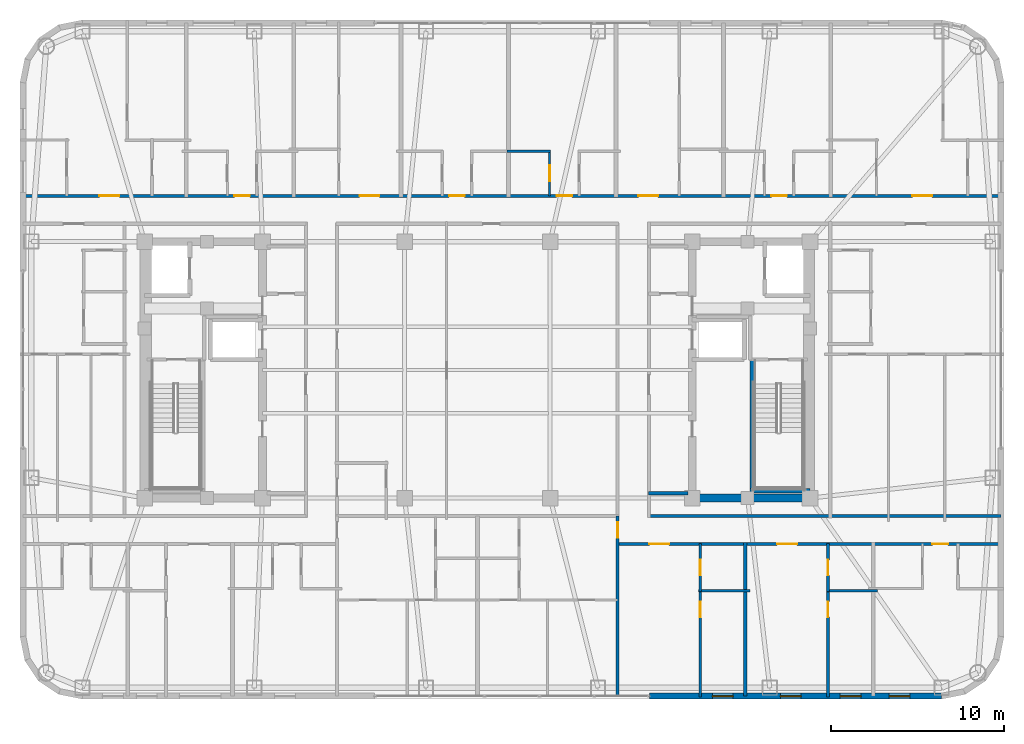
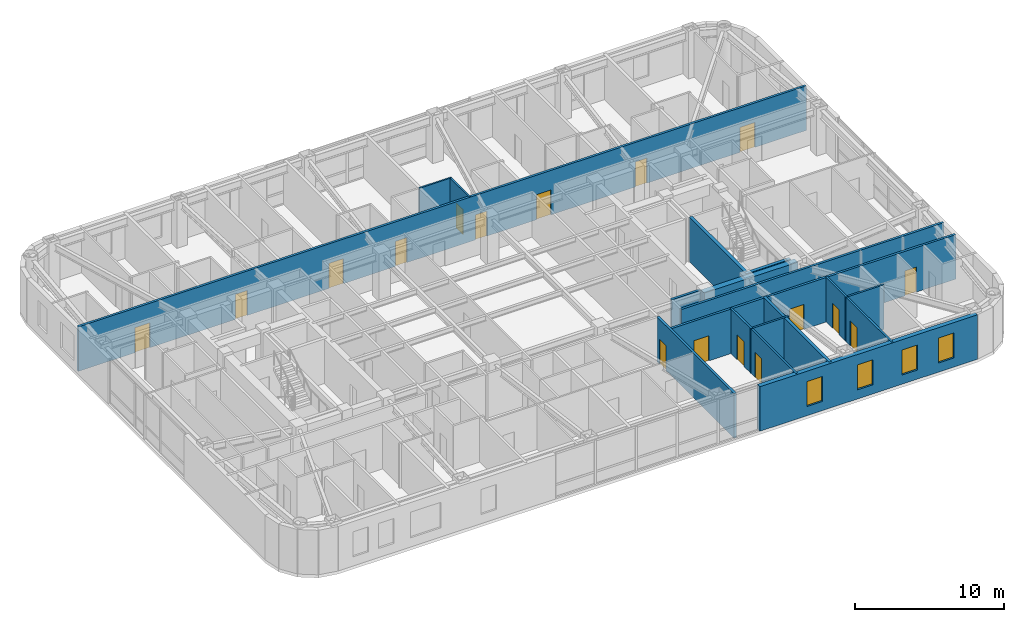
# One storey, part 24 of 29: 18 walls, 17 doors, 4 windows, 21 openings.
"""IFC4 building model written with IfcOpenShell, lengths in metres."""

from ifc_helpers import new_model, si_unit, direction, frame, frame_2d, origin, place, context, subcontext, project, spatial, rectangle, extrude, material, layer, layer_set, type_object, element, fill, save


model = new_model("IFC4")

# Units and contexts
model_context = context("Model", 3, precision=1e-05, world=origin(), true_north=direction((0.0, 1.0)))
body_context = subcontext(model_context, "Body", "Model", "MODEL_VIEW")
ifc_project = project(units=[si_unit("LENGTHUNIT", "METRE"), si_unit("AREAUNIT", "SQUARE_METRE"), si_unit("VOLUMEUNIT", "CUBIC_METRE"), si_unit("PLANEANGLEUNIT", "RADIAN"), si_unit("MASSUNIT", "GRAM", prefix="KILO")], contexts=[model_context])

# Site, building, storey
site_placement = place(None, origin())
site = spatial("IfcSite", under=ifc_project, at=site_placement, CompositionType="ELEMENT")
building_placement = place(site_placement, origin())
building = spatial("IfcBuilding", under=site, at=building_placement, Name="Voryun Gate Residences", CompositionType="ELEMENT")
storey_placement = place(building_placement, frame((0.0, 0.0, 211.89990234375)))
storey = spatial("IfcBuildingStorey", under=building, at=storey_placement, Name="L52", CompositionType="ELEMENT", Elevation=211.89990234375)

# Walls
ifc_material_1 = material(Name="Concrete C50/60", Category="concrete")
ifc_layer_1 = layer(ifc_material_1, 0.449951171875, Name="CW_CORE_450")
ifc_layer_set_1 = layer_set([ifc_layer_1], Name="Concrete C50/60")
wall_type_1 = type_object("IfcWallType", Name="CW_CORE_450", PredefinedType="SHEAR", material=ifc_layer_set_1)
wall_1_placement = place(storey_placement, frame((12.175048828125, -7.39990234375, 0.0), z_axis=(0.0, 0.0, 1.0), x_axis=(1.0, 0.0, 0.0)))
element("IfcWall", 1, at=wall_1_placement, inside=storey, type_object=wall_type_1, Name="L52 Core shear wall CW-L52-ES", PredefinedType="SHEAR", context=body_context, shape_type="SweptSolid", body=[
    extrude(rectangle(XDim=7.25, YDim=0.449951171875, at=frame_2d((3.625, 0.0))), origin(), (0.0, 0.0, 1.0), 3.650146484375),
])
ifc_material_2 = material(Name="Gypsum acoustic fireboard")
ifc_layer_2 = layer(ifc_material_2, 0.179931640625, Name="W_CORR_RATED_180")
ifc_layer_set_2 = layer_set([ifc_layer_2], Name="Gypsum acoustic fireboard")
wall_type_2 = type_object("IfcWallType", Name="W_CORR_RATED_180", PredefinedType="PARTITIONING", material=ifc_layer_set_2)
wall_2_placement = place(storey_placement, frame((9.8798828125, -7.1201171875, 0.0), z_axis=(0.0, 0.0, 1.0), x_axis=(1.0, 0.0, 0.0)))
element("IfcWall", 2, at=wall_2_placement, inside=storey, type_object=wall_type_2, Name="Partition wall WP-L52-PLBS-E", PredefinedType="PARTITIONING", context=body_context, shape_type="SweptSolid", body=[
    extrude(rectangle(XDim=2.27001953125, YDim=0.179931640625, at=frame_2d((1.135009765625, 0.0))), origin(), (0.0, 0.0, 1.0), 3.650146484375),
])
wall_3_placement = place(storey_placement, frame((9.8798828125, -8.43994140625, 0.0), z_axis=(0.0, 0.0, 1.0), x_axis=(1.0, 0.0, 0.0)))
element("IfcWall", 3, at=wall_3_placement, inside=storey, type_object=wall_type_2, Name="Partition wall WP-L52-CWING-ES", PredefinedType="PARTITIONING", context=body_context, shape_type="SweptSolid", body=[
    extrude(rectangle(XDim=20.35009765625, YDim=0.179931640625, at=frame_2d((10.175048828125, 0.0))), origin(), (0.0, 0.0, 1.0), 3.650146484375),
])

# Wall, openings, doors
wall_4_placement = place(storey_placement, frame((-26.22998046875, 10.050048828125, 0.0), z_axis=(0.0, 0.0, 1.0), x_axis=(1.0, 0.0, 0.0)))
wall_4 = element("IfcWall", 4, at=wall_4_placement, inside=storey, type_object=wall_type_2, Name="Partition wall WP-L52-NCORR", PredefinedType="PARTITIONING", context=body_context, shape_type="SweptSolid", body=[
    extrude(rectangle(XDim=56.4599609375, YDim=0.179931640625, at=frame_2d((28.22998046875, 0.0))), origin(), (0.0, 0.0, 1.0), 3.650146484375),
])
opening_1_placement = place(wall_4_placement, frame((4.410400390625, 0.0, 0.0)))
opening_1 = element("IfcOpeningElement", 5, at=opening_1_placement, cuts=wall_4, Name="Opening D-UNIT-1", PredefinedType="OPENING", context=body_context, shape_type="SweptSolid", body=[
    extrude(rectangle(XDim=1.14990234375, YDim=2.050048828125, at=frame_2d((0.574951171875, 1.02490234375))), frame((0.0, 0.099853515625, 0.0), z_axis=(0.0, -1.0, 0.0), x_axis=(1.0, 0.0, 0.0)), (0.0, 0.0, 1.0), 0.199951171875),
])
opening_2_placement = place(wall_4_placement, frame((12.20263671875, 0.0, 0.0)))
opening_2 = element("IfcOpeningElement", 6, at=opening_2_placement, cuts=wall_4, Name="Opening D-INT-2", PredefinedType="OPENING", context=body_context, shape_type="SweptSolid", body=[
    extrude(rectangle(XDim=0.89990234375, YDim=2.050048828125, at=frame_2d((0.449951171875, 1.02490234375))), frame((0.0, 0.099853515625, 0.0), z_axis=(0.0, -1.0, 0.0), x_axis=(1.0, 0.0, 0.0)), (0.0, 0.0, 1.0), 0.199951171875),
])
opening_3_placement = place(wall_4_placement, frame((19.4287109375, 0.0, 0.0)))
opening_3 = element("IfcOpeningElement", 7, at=opening_3_placement, cuts=wall_4, Name="Opening D-UNIT-1", PredefinedType="OPENING", context=body_context, shape_type="SweptSolid", body=[
    extrude(rectangle(XDim=1.14990234375, YDim=2.050048828125, at=frame_2d((0.574951171875, 1.02490234375))), frame((0.0, 0.099853515625, 0.0), z_axis=(0.0, -1.0, 0.0), x_axis=(1.0, 0.0, 0.0)), (0.0, 0.0, 1.0), 0.199951171875),
])
opening_4_placement = place(wall_4_placement, frame((24.601318359375, 0.0, 0.0)))
opening_4 = element("IfcOpeningElement", 8, at=opening_4_placement, cuts=wall_4, Name="Opening D-INT-2", PredefinedType="OPENING", context=body_context, shape_type="SweptSolid", body=[
    extrude(rectangle(XDim=0.89990234375, YDim=2.050048828125, at=frame_2d((0.449951171875, 1.02490234375))), frame((0.0, 0.099853515625, 0.0), z_axis=(0.0, -1.0, 0.0), x_axis=(1.0, 0.0, 0.0)), (0.0, 0.0, 1.0), 0.199951171875),
])
opening_5_placement = place(wall_4_placement, frame((30.800537109375, 0.0, 0.0)))
opening_5 = element("IfcOpeningElement", 9, at=opening_5_placement, cuts=wall_4, Name="Opening D-INT-2", PredefinedType="OPENING", context=body_context, shape_type="SweptSolid", body=[
    extrude(rectangle(XDim=0.89990234375, YDim=2.050048828125, at=frame_2d((0.449951171875, 1.02490234375))), frame((0.0, 0.099853515625, 0.0), z_axis=(0.0, -1.0, 0.0), x_axis=(1.0, 0.0, 0.0)), (0.0, 0.0, 1.0), 0.199951171875),
])
opening_6_placement = place(wall_4_placement, frame((35.52001953125, 0.0, 0.0)))
opening_6 = element("IfcOpeningElement", 10, at=opening_6_placement, cuts=wall_4, Name="Opening D-UNIT-1", PredefinedType="OPENING", context=body_context, shape_type="SweptSolid", body=[
    extrude(rectangle(XDim=1.14990234375, YDim=2.050048828125, at=frame_2d((0.574951171875, 1.02490234375))), frame((0.0, 0.099853515625, 0.0), z_axis=(0.0, -1.0, 0.0), x_axis=(1.0, 0.0, 0.0)), (0.0, 0.0, 1.0), 0.199951171875),
])
opening_7_placement = place(wall_4_placement, frame((43.19921875, 0.0, 0.0)))
opening_7 = element("IfcOpeningElement", 11, at=opening_7_placement, cuts=wall_4, Name="Opening D-INT-2", PredefinedType="OPENING", context=body_context, shape_type="SweptSolid", body=[
    extrude(rectangle(XDim=0.89990234375, YDim=2.050048828125, at=frame_2d((0.449951171875, 1.02490234375))), frame((0.0, 0.099853515625, 0.0), z_axis=(0.0, -1.0, 0.0), x_axis=(1.0, 0.0, 0.0)), (0.0, 0.0, 1.0), 0.199951171875),
])
opening_8_placement = place(wall_4_placement, frame((51.334228515625, 0.0, 0.0)))
opening_8 = element("IfcOpeningElement", 12, at=opening_8_placement, cuts=wall_4, Name="Opening D-UNIT-1", PredefinedType="OPENING", context=body_context, shape_type="SweptSolid", body=[
    extrude(rectangle(XDim=1.14990234375, YDim=2.050048828125, at=frame_2d((0.574951171875, 1.02490234375))), frame((0.0, 0.099853515625, 0.0), z_axis=(0.0, -1.0, 0.0), x_axis=(1.0, 0.0, 0.0)), (0.0, 0.0, 1.0), 0.199951171875),
])
ifc_material_3 = material(Name="Architectural oak veneer")
door_type_1 = type_object("IfcDoorType", Name="DR_INT_BATH_900", OperationType="NOTDEFINED", PredefinedType="DOOR", material=ifc_material_3)
door_1_placement = place(opening_2_placement, origin())
door_1 = element("IfcDoor", 13, at=door_1_placement, inside=storey, type_object=door_type_1, Name="Door DR-L52-NENT-2", OperationType="SINGLE_SWING_RIGHT", OverallHeight=2.050048828125, OverallWidth=0.89990234375, PredefinedType="DOOR", context=body_context, shape_type="SweptSolid", body=[
    extrude(rectangle(XDim=0.89990234375, YDim=2.050048828125, at=frame_2d((0.449951171875, 1.02490234375))), frame((0.0, 0.02490234375, 0.0), z_axis=(0.0, -1.0, 0.0), x_axis=(1.0, 0.0, 0.0)), (0.0, 0.0, 1.0), 0.050048828125),
])
fill(opening_2, door_1)
door_2_placement = place(opening_4_placement, origin())
door_2 = element("IfcDoor", 14, at=door_2_placement, inside=storey, type_object=door_type_1, Name="Door DR-L52-NENT-4", OperationType="SINGLE_SWING_RIGHT", OverallHeight=2.050048828125, OverallWidth=0.89990234375, PredefinedType="DOOR", context=body_context, shape_type="SweptSolid", body=[
    extrude(rectangle(XDim=0.89990234375, YDim=2.050048828125, at=frame_2d((0.449951171875, 1.02490234375))), frame((0.0, 0.02490234375, 0.0), z_axis=(0.0, -1.0, 0.0), x_axis=(1.0, 0.0, 0.0)), (0.0, 0.0, 1.0), 0.050048828125),
])
fill(opening_4, door_2)
door_3_placement = place(opening_5_placement, origin())
door_3 = element("IfcDoor", 15, at=door_3_placement, inside=storey, type_object=door_type_1, Name="Door DR-L52-NENT-5", OperationType="SINGLE_SWING_LEFT", OverallHeight=2.050048828125, OverallWidth=0.89990234375, PredefinedType="DOOR", context=body_context, shape_type="SweptSolid", body=[
    extrude(rectangle(XDim=0.89990234375, YDim=2.050048828125, at=frame_2d((0.449951171875, 1.02490234375))), frame((0.0, 0.02490234375, 0.0), z_axis=(0.0, -1.0, 0.0), x_axis=(1.0, 0.0, 0.0)), (0.0, 0.0, 1.0), 0.050048828125),
])
fill(opening_5, door_3)
door_4_placement = place(opening_7_placement, origin())
door_4 = element("IfcDoor", 16, at=door_4_placement, inside=storey, type_object=door_type_1, Name="Door DR-L52-NENT-7", OperationType="SINGLE_SWING_LEFT", OverallHeight=2.050048828125, OverallWidth=0.89990234375, PredefinedType="DOOR", context=body_context, shape_type="SweptSolid", body=[
    extrude(rectangle(XDim=0.89990234375, YDim=2.050048828125, at=frame_2d((0.449951171875, 1.02490234375))), frame((0.0, 0.02490234375, 0.0), z_axis=(0.0, -1.0, 0.0), x_axis=(1.0, 0.0, 0.0)), (0.0, 0.0, 1.0), 0.050048828125),
])
fill(opening_7, door_4)
ifc_material_4 = material(Name="Armoured timber-clad fire door", Category="wood")
door_type_2 = type_object("IfcDoorType", Name="DR_UNIT_ENTRY_1150", OperationType="NOTDEFINED", PredefinedType="DOOR", material=ifc_material_4)
door_5_placement = place(opening_1_placement, origin())
door_5 = element("IfcDoor", 17, at=door_5_placement, inside=storey, type_object=door_type_2, Name="Door DR-L52-NENT-1", OperationType="SINGLE_SWING_LEFT", OverallHeight=2.050048828125, OverallWidth=1.14990234375, PredefinedType="DOOR", context=body_context, shape_type="SweptSolid", body=[
    extrude(rectangle(XDim=1.14990234375, YDim=2.050048828125, at=frame_2d((0.574951171875, 1.02490234375))), frame((0.0, 0.02490234375, 0.0), z_axis=(0.0, -1.0, 0.0), x_axis=(1.0, 0.0, 0.0)), (0.0, 0.0, 1.0), 0.050048828125),
])
fill(opening_1, door_5)
door_6_placement = place(opening_3_placement, origin())
door_6 = element("IfcDoor", 18, at=door_6_placement, inside=storey, type_object=door_type_2, Name="Door DR-L52-NENT-3", OperationType="SINGLE_SWING_LEFT", OverallHeight=2.050048828125, OverallWidth=1.14990234375, PredefinedType="DOOR", context=body_context, shape_type="SweptSolid", body=[
    extrude(rectangle(XDim=1.14990234375, YDim=2.050048828125, at=frame_2d((0.574951171875, 1.02490234375))), frame((0.0, 0.02490234375, 0.0), z_axis=(0.0, -1.0, 0.0), x_axis=(1.0, 0.0, 0.0)), (0.0, 0.0, 1.0), 0.050048828125),
])
fill(opening_3, door_6)
door_7_placement = place(opening_6_placement, origin())
door_7 = element("IfcDoor", 19, at=door_7_placement, inside=storey, type_object=door_type_2, Name="Door DR-L52-NENT-6", OperationType="SINGLE_SWING_RIGHT", OverallHeight=2.050048828125, OverallWidth=1.14990234375, PredefinedType="DOOR", context=body_context, shape_type="SweptSolid", body=[
    extrude(rectangle(XDim=1.14990234375, YDim=2.050048828125, at=frame_2d((0.574951171875, 1.02490234375))), frame((0.0, 0.02490234375, 0.0), z_axis=(0.0, -1.0, 0.0), x_axis=(1.0, 0.0, 0.0)), (0.0, 0.0, 1.0), 0.050048828125),
])
fill(opening_6, door_7)
door_8_placement = place(opening_8_placement, origin())
door_8 = element("IfcDoor", 20, at=door_8_placement, inside=storey, type_object=door_type_2, Name="Door DR-L52-NENT-8", OperationType="SINGLE_SWING_RIGHT", OverallHeight=2.050048828125, OverallWidth=1.14990234375, PredefinedType="DOOR", context=body_context, shape_type="SweptSolid", body=[
    extrude(rectangle(XDim=1.14990234375, YDim=2.050048828125, at=frame_2d((0.574951171875, 1.02490234375))), frame((0.0, 0.02490234375, 0.0), z_axis=(0.0, -1.0, 0.0), x_axis=(1.0, 0.0, 0.0)), (0.0, 0.0, 1.0), 0.050048828125),
])
fill(opening_8, door_8)

wall_5_placement = place(storey_placement, frame((8.080078125, -10.050048828125, 0.0), z_axis=(0.0, 0.0, 1.0), x_axis=(1.0, 0.0, 0.0)))
wall_5 = element("IfcWall", 21, at=wall_5_placement, inside=storey, type_object=wall_type_2, Name="Partition wall WP-L52-SCORR-E", PredefinedType="PARTITIONING", context=body_context, shape_type="SweptSolid", body=[
    extrude(rectangle(XDim=22.14990234375, YDim=0.179931640625, at=frame_2d((11.074951171875, 0.0))), origin(), (0.0, 0.0, 1.0), 3.650146484375),
])
opening_9_placement = place(wall_5_placement, frame((1.84375, 0.0, 0.0)))
opening_9 = element("IfcOpeningElement", 22, at=opening_9_placement, cuts=wall_5, Name="Opening D-UNIT-1", PredefinedType="OPENING", context=body_context, shape_type="SweptSolid", body=[
    extrude(rectangle(XDim=1.14990234375, YDim=2.050048828125, at=frame_2d((0.574951171875, 1.02490234375))), frame((0.0, 0.099853515625, 0.0), z_axis=(0.0, -1.0, 0.0), x_axis=(1.0, 0.0, 0.0)), (0.0, 0.0, 1.0), 0.199951171875),
])
opening_10_placement = place(wall_5_placement, frame((9.228515625, 0.0, 0.0)))
opening_10 = element("IfcOpeningElement", 23, at=opening_10_placement, cuts=wall_5, Name="Opening D-UNIT-1", PredefinedType="OPENING", context=body_context, shape_type="SweptSolid", body=[
    extrude(rectangle(XDim=1.14990234375, YDim=2.050048828125, at=frame_2d((0.574951171875, 1.02490234375))), frame((0.0, 0.099853515625, 0.0), z_axis=(0.0, -1.0, 0.0), x_axis=(1.0, 0.0, 0.0)), (0.0, 0.0, 1.0), 0.199951171875),
])
opening_11_placement = place(wall_5_placement, frame((18.19140625, 0.0, 0.0)))
opening_11 = element("IfcOpeningElement", 24, at=opening_11_placement, cuts=wall_5, Name="Opening D-INT-2", PredefinedType="OPENING", context=body_context, shape_type="SweptSolid", body=[
    extrude(rectangle(XDim=0.89990234375, YDim=2.050048828125, at=frame_2d((0.449951171875, 1.02490234375))), frame((0.0, 0.099853515625, 0.0), z_axis=(0.0, -1.0, 0.0), x_axis=(1.0, 0.0, 0.0)), (0.0, 0.0, 1.0), 0.199951171875),
])
door_9_placement = place(opening_11_placement, origin())
door_9 = element("IfcDoor", 25, at=door_9_placement, inside=storey, type_object=door_type_1, Name="Door DR-L52-SENT-7", OperationType="SINGLE_SWING_RIGHT", OverallHeight=2.050048828125, OverallWidth=0.89990234375, PredefinedType="DOOR", context=body_context, shape_type="SweptSolid", body=[
    extrude(rectangle(XDim=0.89990234375, YDim=2.050048828125, at=frame_2d((0.449951171875, 1.02490234375))), frame((0.0, 0.02490234375, 0.0), z_axis=(0.0, -1.0, 0.0), x_axis=(1.0, 0.0, 0.0)), (0.0, 0.0, 1.0), 0.050048828125),
])
fill(opening_11, door_9)
door_10_placement = place(opening_9_placement, origin())
door_10 = element("IfcDoor", 26, at=door_10_placement, inside=storey, type_object=door_type_2, Name="Door DR-L52-SENT-5", OperationType="SINGLE_SWING_RIGHT", OverallHeight=2.050048828125, OverallWidth=1.14990234375, PredefinedType="DOOR", context=body_context, shape_type="SweptSolid", body=[
    extrude(rectangle(XDim=1.14990234375, YDim=2.050048828125, at=frame_2d((0.574951171875, 1.02490234375))), frame((0.0, 0.02490234375, 0.0), z_axis=(0.0, -1.0, 0.0), x_axis=(1.0, 0.0, 0.0)), (0.0, 0.0, 1.0), 0.050048828125),
])
fill(opening_9, door_10)
door_11_placement = place(opening_10_placement, origin())
door_11 = element("IfcDoor", 27, at=door_11_placement, inside=storey, type_object=door_type_2, Name="Door DR-L52-SENT-6", OperationType="SINGLE_SWING_LEFT", OverallHeight=2.050048828125, OverallWidth=1.14990234375, PredefinedType="DOOR", context=body_context, shape_type="SweptSolid", body=[
    extrude(rectangle(XDim=1.14990234375, YDim=2.050048828125, at=frame_2d((0.574951171875, 1.02490234375))), frame((0.0, 0.02490234375, 0.0), z_axis=(0.0, -1.0, 0.0), x_axis=(1.0, 0.0, 0.0)), (0.0, 0.0, 1.0), 0.050048828125),
])
fill(opening_10, door_11)

# Wall, opening, door
wall_6_placement = place(storey_placement, frame((8.10009765625, -18.830078125, 0.0), z_axis=(0.0, 0.0, 1.0), x_axis=(0.0, 1.0, 0.0)))
wall_6 = element("IfcWall", 28, at=wall_6_placement, inside=storey, type_object=wall_type_2, Name="Partition wall WP-L52-SZV-2", PredefinedType="PARTITIONING", context=body_context, shape_type="SweptSolid", body=[
    extrude(rectangle(XDim=10.39013671875, YDim=0.179931640625, at=frame_2d((5.195068359375, 0.0))), origin(), (0.0, 0.0, 1.0), 3.650146484375),
])
opening_12_placement = place(wall_6_placement, frame((9.139892578125, 0.0, 0.0)))
opening_12 = element("IfcOpeningElement", 29, at=opening_12_placement, cuts=wall_6, Name="Opening D-INT-2", PredefinedType="OPENING", context=body_context, shape_type="SweptSolid", body=[
    extrude(rectangle(XDim=0.89990234375, YDim=2.050048828125, at=frame_2d((0.449951171875, 1.02490234375))), frame((0.0, 0.099853515625, 0.0), z_axis=(0.0, -1.0, 0.0), x_axis=(1.0, 0.0, 0.0)), (0.0, 0.0, 1.0), 0.199951171875),
])
door_12_placement = place(opening_12_placement, origin())
door_12 = element("IfcDoor", 30, at=door_12_placement, inside=storey, type_object=door_type_1, Name="Door DR-L52-SZENT-2", OperationType="SINGLE_SWING_RIGHT", OverallHeight=2.050048828125, OverallWidth=0.89990234375, PredefinedType="DOOR", context=body_context, shape_type="SweptSolid", body=[
    extrude(rectangle(XDim=0.89990234375, YDim=2.050048828125, at=frame_2d((0.449951171875, 1.02490234375))), frame((0.0, 0.02490234375, 0.0), z_axis=(0.0, -1.0, 0.0), x_axis=(1.0, 0.0, 0.0)), (0.0, 0.0, 1.0), 0.050048828125),
])
fill(opening_12, door_12)

# Wall, openings, windows
ifc_material_5 = material(Name="Charcoal terracotta masonry", Category="masonry")
ifc_layer_3 = layer(ifc_material_5, 0.340087890625, Name="W_EXT_TERRACOTTA_340")
ifc_layer_set_3 = layer_set([ifc_layer_3], Name="Charcoal terracotta masonry")
wall_type_3 = type_object("IfcWallType", Name="W_EXT_TERRACOTTA_340", PredefinedType="ELEMENTEDWALL", material=ifc_layer_set_3)
wall_7_placement = place(storey_placement, frame((26.783203125, -18.830078125, 0.0), z_axis=(0.0, 0.0, 1.0), x_axis=(-1.0, 0.0, 0.0)))
wall_7 = element("IfcWall", 31, at=wall_7_placement, inside=storey, type_object=wall_type_3, Name="Exterior wall WEXT-L52-01A", PredefinedType="ELEMENTEDWALL", context=body_context, shape_type="SweptSolid", body=[
    extrude(rectangle(XDim=16.8525390625, YDim=0.340087890625, at=frame_2d((8.42626953125, 0.0))), origin(), (0.0, 0.0, 1.0), 3.650146484375),
])
opening_13_placement = place(wall_7_placement, frame((12.022216796875, 0.0, 0.75)))
opening_13 = element("IfcOpeningElement", 32, at=opening_13_placement, cuts=wall_7, Name="Opening WN6", PredefinedType="OPENING", context=body_context, shape_type="SweptSolid", body=[
    extrude(rectangle(XDim=1.199951171875, YDim=2.050048828125, at=frame_2d((0.60009765625, 1.02490234375))), frame((0.0, 0.179931640625, 0.0), z_axis=(0.0, -1.0, 0.0), x_axis=(1.0, 0.0, 0.0)), (0.0, 0.0, 1.0), 0.360107421875),
])
opening_14_placement = place(wall_7_placement, frame((8.08984375, 0.0, 0.75)))
opening_14 = element("IfcOpeningElement", 33, at=opening_14_placement, cuts=wall_7, Name="Opening WN6", PredefinedType="OPENING", context=body_context, shape_type="SweptSolid", body=[
    extrude(rectangle(XDim=1.199951171875, YDim=2.050048828125, at=frame_2d((0.60009765625, 1.02490234375))), frame((0.0, 0.179931640625, 0.0), z_axis=(0.0, -1.0, 0.0), x_axis=(1.0, 0.0, 0.0)), (0.0, 0.0, 1.0), 0.360107421875),
])
opening_15_placement = place(wall_7_placement, frame((4.63720703125, 0.0, 0.75)))
opening_15 = element("IfcOpeningElement", 34, at=opening_15_placement, cuts=wall_7, Name="Opening WN6", PredefinedType="OPENING", context=body_context, shape_type="SweptSolid", body=[
    extrude(rectangle(XDim=1.199951171875, YDim=2.050048828125, at=frame_2d((0.60009765625, 1.02490234375))), frame((0.0, 0.179931640625, 0.0), z_axis=(0.0, -1.0, 0.0), x_axis=(1.0, 0.0, 0.0)), (0.0, 0.0, 1.0), 0.360107421875),
])
opening_16_placement = place(wall_7_placement, frame((1.81103515625, 0.0, 0.75)))
opening_16 = element("IfcOpeningElement", 35, at=opening_16_placement, cuts=wall_7, Name="Opening WN6", PredefinedType="OPENING", context=body_context, shape_type="SweptSolid", body=[
    extrude(rectangle(XDim=1.199951171875, YDim=2.050048828125, at=frame_2d((0.60009765625, 1.02490234375))), frame((0.0, 0.179931640625, 0.0), z_axis=(0.0, -1.0, 0.0), x_axis=(1.0, 0.0, 0.0)), (0.0, 0.0, 1.0), 0.360107421875),
])
ifc_material_6 = material(Name="Laminated low-E glass", Category="glass")
window_type = type_object("IfcWindowType", Name="WN_POD_SLOT_1200", PartitioningType="SINGLE_PANEL", PredefinedType="WINDOW", material=ifc_material_6)
window_1_placement = place(opening_13_placement, origin())
window_1 = element("IfcWindow", 36, at=window_1_placement, inside=storey, type_object=window_type, Name="Window WN-L52-DWFIX-11", OverallHeight=2.050048828125, OverallWidth=1.199951171875, PartitioningType="SINGLE_PANEL", PredefinedType="WINDOW", context=body_context, shape_type="SweptSolid", body=[
    extrude(rectangle(XDim=1.199951171875, YDim=2.050048828125, at=frame_2d((0.60009765625, 1.02490234375))), frame((0.0, 0.030029296875, 0.0), z_axis=(0.0, -1.0, 0.0), x_axis=(1.0, 0.0, 0.0)), (0.0, 0.0, 1.0), 0.06005859375),
])
fill(opening_13, window_1)
window_2_placement = place(opening_14_placement, origin())
window_2 = element("IfcWindow", 37, at=window_2_placement, inside=storey, type_object=window_type, Name="Window WN-L52-DWFIX-12", OverallHeight=2.050048828125, OverallWidth=1.199951171875, PartitioningType="SINGLE_PANEL", PredefinedType="WINDOW", context=body_context, shape_type="SweptSolid", body=[
    extrude(rectangle(XDim=1.199951171875, YDim=2.050048828125, at=frame_2d((0.60009765625, 1.02490234375))), frame((0.0, 0.030029296875, 0.0), z_axis=(0.0, -1.0, 0.0), x_axis=(1.0, 0.0, 0.0)), (0.0, 0.0, 1.0), 0.06005859375),
])
fill(opening_14, window_2)
window_3_placement = place(opening_15_placement, origin())
window_3 = element("IfcWindow", 38, at=window_3_placement, inside=storey, type_object=window_type, Name="Window WN-L52-DWFIX-13", OverallHeight=2.050048828125, OverallWidth=1.199951171875, PartitioningType="SINGLE_PANEL", PredefinedType="WINDOW", context=body_context, shape_type="SweptSolid", body=[
    extrude(rectangle(XDim=1.199951171875, YDim=2.050048828125, at=frame_2d((0.60009765625, 1.02490234375))), frame((0.0, 0.030029296875, 0.0), z_axis=(0.0, -1.0, 0.0), x_axis=(1.0, 0.0, 0.0)), (0.0, 0.0, 1.0), 0.06005859375),
])
fill(opening_15, window_3)
window_4_placement = place(opening_16_placement, origin())
window_4 = element("IfcWindow", 39, at=window_4_placement, inside=storey, type_object=window_type, Name="Window WN-L52-DWFIX-14", OverallHeight=2.050048828125, OverallWidth=1.199951171875, PartitioningType="SINGLE_PANEL", PredefinedType="WINDOW", context=body_context, shape_type="SweptSolid", body=[
    extrude(rectangle(XDim=1.199951171875, YDim=2.050048828125, at=frame_2d((0.60009765625, 1.02490234375))), frame((0.0, 0.030029296875, 0.0), z_axis=(0.0, -1.0, 0.0), x_axis=(1.0, 0.0, 0.0)), (0.0, 0.0, 1.0), 0.06005859375),
])
fill(opening_16, window_4)

# Walls
ifc_material_7 = material(Name="Concrete C40/50", Category="concrete")
ifc_layer_4 = layer(ifc_material_7, 0.219970703125, Name="W_PARTY_ACOUSTIC_220")
ifc_layer_set_4 = layer_set([ifc_layer_4], Name="Concrete C40/50")
wall_type_4 = type_object("IfcWallType", Name="W_PARTY_ACOUSTIC_220", PredefinedType="PARTITIONING", material=ifc_layer_set_4)
wall_8_placement = place(storey_placement, frame((15.466064453125, -18.830078125, 0.0), z_axis=(0.0, 0.0, 1.0), x_axis=(0.0, 1.0, 0.0)))
element("IfcWall", 40, at=wall_8_placement, inside=storey, type_object=wall_type_4, Name="Partition wall WP-L52-SPTY-5", PredefinedType="PARTITIONING", context=body_context, shape_type="SweptSolid", body=[
    extrude(rectangle(XDim=8.860107421875, YDim=0.219970703125, at=frame_2d((4.43017578125, 0.0))), origin(), (0.0, 0.0, 1.0), 3.650146484375),
])
ifc_material_8 = material(Name="Concrete C50/60", Category="concrete")
ifc_layer_5 = layer(ifc_material_8, 0.25, Name="W_SHAFT_RC250")
ifc_layer_set_5 = layer_set([ifc_layer_5], Name="Concrete C50/60")
wall_type_5 = type_object("IfcWallType", Name="W_SHAFT_RC250", PredefinedType="SOLIDWALL", material=ifc_layer_set_5)
wall_9_placement = place(storey_placement, frame((15.860107421875, -7.0849609375, 0.0), z_axis=(0.0, 0.0, 1.0), x_axis=(0.0, 1.0, 0.0)))
element("IfcWall", 41, at=wall_9_placement, inside=storey, type_object=wall_type_5, Name="L52 Stair shaft structural wall E-STL", PredefinedType="SOLIDWALL", context=body_context, shape_type="SweptSolid", body=[
    extrude(rectangle(XDim=7.68505859375, YDim=0.25, at=frame_2d((3.842529296875, 0.0))), origin(), (0.0, 0.0, 1.0), 3.650146484375),
])
wall_10_placement = place(storey_placement, frame((15.739990234375, -6.965087890625, 0.0), z_axis=(0.0, 0.0, 1.0), x_axis=(1.0, 0.0, 0.0)))
element("IfcWall", 42, at=wall_10_placement, inside=storey, type_object=wall_type_5, Name="L52 Stair shaft structural wall E-STS", PredefinedType="SOLIDWALL", context=body_context, shape_type="SweptSolid", body=[
    extrude(rectangle(XDim=3.4599609375, YDim=0.25, at=frame_2d((1.72998046875, 0.0))), origin(), (0.0, 0.0, 1.0), 3.650146484375),
])

# Wall, opening, door
ifc_material_9 = material(Name="Gypsum acoustic partition")
ifc_layer_6 = layer(ifc_material_9, 0.125, Name="W_UNIT_PART_125")
ifc_layer_set_6 = layer_set([ifc_layer_6], Name="Gypsum acoustic partition")
wall_type_6 = type_object("IfcWallType", Name="W_UNIT_PART_125", PredefinedType="PARTITIONING", material=ifc_layer_set_6)
wall_11_placement = place(storey_placement, frame((4.169921875, 10.030029296875, 0.0), z_axis=(0.0, 0.0, 1.0), x_axis=(0.0, 1.0, 0.0)))
wall_11 = element("IfcWall", 43, at=wall_11_placement, inside=storey, type_object=wall_type_6, Name="Partition wall WP-L52-N5-CVK", PredefinedType="PARTITIONING", context=body_context, shape_type="SweptSolid", body=[
    extrude(rectangle(XDim=2.64990234375, YDim=0.125, at=frame_2d((1.324951171875, 0.0))), origin(), (0.0, 0.0, 1.0), 3.650146484375),
])
opening_17_placement = place(wall_11_placement, frame((0.875, 0.0, 0.0)))
opening_17 = element("IfcOpeningElement", 44, at=opening_17_placement, cuts=wall_11, Name="Opening D-INT-2", PredefinedType="OPENING", context=body_context, shape_type="SweptSolid", body=[
    extrude(rectangle(XDim=0.89990234375, YDim=2.050048828125, at=frame_2d((0.449951171875, 1.02490234375))), frame((0.0, 0.072509765625, 0.0), z_axis=(0.0, -1.0, 0.0), x_axis=(1.0, 0.0, 0.0)), (0.0, 0.0, 1.0), 0.14501953125),
])
door_13_placement = place(opening_17_placement, origin())
door_13 = element("IfcDoor", 45, at=door_13_placement, inside=storey, type_object=door_type_1, Name="Door DR-L52-N5-DK", OperationType="SINGLE_SWING_LEFT", OverallHeight=2.050048828125, OverallWidth=0.89990234375, PredefinedType="DOOR", context=body_context, shape_type="SweptSolid", body=[
    extrude(rectangle(XDim=0.89990234375, YDim=2.050048828125, at=frame_2d((0.449951171875, 1.02490234375))), frame((0.0, 0.02490234375, 0.0), z_axis=(0.0, -1.0, 0.0), x_axis=(1.0, 0.0, 0.0)), (0.0, 0.0, 1.0), 0.050048828125),
])
fill(opening_17, door_13)

# Walls
wall_12_placement = place(storey_placement, frame((1.72509765625, 12.6201171875, 0.0), z_axis=(0.0, 0.0, 1.0), x_axis=(1.0, 0.0, 0.0)))
element("IfcWall", 46, at=wall_12_placement, inside=storey, type_object=wall_type_6, Name="Partition wall WP-L52-N5-CHK", PredefinedType="PARTITIONING", context=body_context, shape_type="SweptSolid", body=[
    extrude(rectangle(XDim=2.5048828125, YDim=0.125, at=frame_2d((1.25244140625, 0.0))), origin(), (0.0, 0.0, 1.0), 3.650146484375),
])
ifc_material_10 = material(Name="Gypsum moisture-resistant partition")
ifc_layer_7 = layer(ifc_material_10, 0.14990234375, Name="W_WET_PLUMB_150")
ifc_layer_set_7 = layer_set([ifc_layer_7], Name="Gypsum moisture-resistant partition")
wall_type_7 = type_object("IfcWallType", Name="W_WET_PLUMB_150", PredefinedType="PLUMBINGWALL", material=ifc_layer_set_7)
wall_13_placement = place(storey_placement, frame((12.77587890625, -12.75, 0.0), z_axis=(0.0, 0.0, 1.0), x_axis=(1.0, 0.0, 0.0)))
element("IfcWall", 47, at=wall_13_placement, inside=storey, type_object=wall_type_7, Name="Partition wall WP-L52-S5-SKB", PredefinedType="PLUMBINGWALL", context=body_context, shape_type="SweptSolid", body=[
    extrude(rectangle(XDim=2.9501953125, YDim=0.14990234375, at=frame_2d((1.47509765625, 0.0))), origin(), (0.0, 0.0, 1.0), 3.650146484375),
])

# Wall, opening, door
wall_14_placement = place(storey_placement, frame((12.85595703125, -18.876708984375, 0.0), z_axis=(0.0, 0.0, 1.0), x_axis=(0.0, 1.0, 0.0)))
wall_14 = element("IfcWall", 48, at=wall_14_placement, inside=storey, type_object=wall_type_7, Name="Partition wall WP-L52-S5-SVT1", PredefinedType="PLUMBINGWALL", context=body_context, shape_type="SweptSolid", body=[
    extrude(rectangle(XDim=6.166748046875, YDim=0.14990234375, at=frame_2d((3.08349609375, 0.0))), origin(), (0.0, 0.0, 1.0), 3.650146484375),
])
opening_18_placement = place(wall_14_placement, frame((4.606689453125, 0.0, 0.0)))
opening_18 = element("IfcOpeningElement", 49, at=opening_18_placement, cuts=wall_14, Name="Opening D-INT-2", PredefinedType="OPENING", context=body_context, shape_type="SweptSolid", body=[
    extrude(rectangle(XDim=0.89990234375, YDim=2.050048828125, at=frame_2d((0.449951171875, 1.02490234375))), frame((0.0, 0.0849609375, 0.0), z_axis=(0.0, -1.0, 0.0), x_axis=(1.0, 0.0, 0.0)), (0.0, 0.0, 1.0), 0.169921875),
])
door_14_placement = place(opening_18_placement, origin())
door_14 = element("IfcDoor", 50, at=door_14_placement, inside=storey, type_object=door_type_1, Name="Door DR-L52-S5-DK", OperationType="SINGLE_SWING_LEFT", OverallHeight=2.050048828125, OverallWidth=0.89990234375, PredefinedType="DOOR", context=body_context, shape_type="SweptSolid", body=[
    extrude(rectangle(XDim=0.89990234375, YDim=2.050048828125, at=frame_2d((0.449951171875, 1.02490234375))), frame((0.0, 0.02490234375, 0.0), z_axis=(0.0, -1.0, 0.0), x_axis=(1.0, 0.0, 0.0)), (0.0, 0.0, 1.0), 0.050048828125),
])
fill(opening_18, door_14)

wall_15_placement = place(storey_placement, frame((12.85595703125, -12.7900390625, 0.0), z_axis=(0.0, 0.0, 1.0), x_axis=(0.0, 1.0, 0.0)))
wall_15 = element("IfcWall", 51, at=wall_15_placement, inside=storey, type_object=wall_type_7, Name="Partition wall WP-L52-S5-SVT2", PredefinedType="PLUMBINGWALL", context=body_context, shape_type="SweptSolid", body=[
    extrude(rectangle(XDim=2.760009765625, YDim=0.14990234375, at=frame_2d((1.3798828125, 0.0))), origin(), (0.0, 0.0, 1.0), 3.650146484375),
])
opening_19_placement = place(wall_15_placement, frame((0.929931640625, 0.0, 0.0)))
opening_19 = element("IfcOpeningElement", 52, at=opening_19_placement, cuts=wall_15, Name="Opening D-INT-2", PredefinedType="OPENING", context=body_context, shape_type="SweptSolid", body=[
    extrude(rectangle(XDim=0.89990234375, YDim=2.050048828125, at=frame_2d((0.449951171875, 1.02490234375))), frame((0.0, 0.0849609375, 0.0), z_axis=(0.0, -1.0, 0.0), x_axis=(1.0, 0.0, 0.0)), (0.0, 0.0, 1.0), 0.169921875),
])
door_15_placement = place(opening_19_placement, origin())
door_15 = element("IfcDoor", 53, at=door_15_placement, inside=storey, type_object=door_type_1, Name="Door DR-L52-S5-DB", OperationType="SINGLE_SWING_RIGHT", OverallHeight=2.050048828125, OverallWidth=0.89990234375, PredefinedType="DOOR", context=body_context, shape_type="SweptSolid", body=[
    extrude(rectangle(XDim=0.89990234375, YDim=2.050048828125, at=frame_2d((0.449951171875, 1.02490234375))), frame((0.0, 0.02490234375, 0.0), z_axis=(0.0, -1.0, 0.0), x_axis=(1.0, 0.0, 0.0)), (0.0, 0.0, 1.0), 0.050048828125),
])
fill(opening_19, door_15)

# Wall
wall_16_placement = place(storey_placement, frame((20.160888671875, -12.75, 0.0), z_axis=(0.0, 0.0, 1.0), x_axis=(1.0, 0.0, 0.0)))
element("IfcWall", 54, at=wall_16_placement, inside=storey, type_object=wall_type_7, Name="Partition wall WP-L52-S6-SKB", PredefinedType="PLUMBINGWALL", context=body_context, shape_type="SweptSolid", body=[
    extrude(rectangle(XDim=2.9501953125, YDim=0.14990234375, at=frame_2d((1.47509765625, 0.0))), origin(), (0.0, 0.0, 1.0), 3.650146484375),
])

# Wall, opening, door
wall_17_placement = place(storey_placement, frame((20.240966796875, -18.876708984375, 0.0), z_axis=(0.0, 0.0, 1.0), x_axis=(0.0, 1.0, 0.0)))
wall_17 = element("IfcWall", 55, at=wall_17_placement, inside=storey, type_object=wall_type_7, Name="Partition wall WP-L52-S6-SVT1", PredefinedType="PLUMBINGWALL", context=body_context, shape_type="SweptSolid", body=[
    extrude(rectangle(XDim=6.166748046875, YDim=0.14990234375, at=frame_2d((3.08349609375, 0.0))), origin(), (0.0, 0.0, 1.0), 3.650146484375),
])
opening_20_placement = place(wall_17_placement, frame((4.606689453125, 0.0, 0.0)))
opening_20 = element("IfcOpeningElement", 56, at=opening_20_placement, cuts=wall_17, Name="Opening D-INT-2", PredefinedType="OPENING", context=body_context, shape_type="SweptSolid", body=[
    extrude(rectangle(XDim=0.89990234375, YDim=2.050048828125, at=frame_2d((0.449951171875, 1.02490234375))), frame((0.0, 0.0849609375, 0.0), z_axis=(0.0, -1.0, 0.0), x_axis=(1.0, 0.0, 0.0)), (0.0, 0.0, 1.0), 0.169921875),
])
door_16_placement = place(opening_20_placement, origin())
door_16 = element("IfcDoor", 57, at=door_16_placement, inside=storey, type_object=door_type_1, Name="Door DR-L52-S6-DK", OperationType="SINGLE_SWING_LEFT", OverallHeight=2.050048828125, OverallWidth=0.89990234375, PredefinedType="DOOR", context=body_context, shape_type="SweptSolid", body=[
    extrude(rectangle(XDim=0.89990234375, YDim=2.050048828125, at=frame_2d((0.449951171875, 1.02490234375))), frame((0.0, 0.02490234375, 0.0), z_axis=(0.0, -1.0, 0.0), x_axis=(1.0, 0.0, 0.0)), (0.0, 0.0, 1.0), 0.050048828125),
])
fill(opening_20, door_16)

wall_18_placement = place(storey_placement, frame((20.240966796875, -12.7900390625, 0.0), z_axis=(0.0, 0.0, 1.0), x_axis=(0.0, 1.0, 0.0)))
wall_18 = element("IfcWall", 58, at=wall_18_placement, inside=storey, type_object=wall_type_7, Name="Partition wall WP-L52-S6-SVT2", PredefinedType="PLUMBINGWALL", context=body_context, shape_type="SweptSolid", body=[
    extrude(rectangle(XDim=2.760009765625, YDim=0.14990234375, at=frame_2d((1.3798828125, 0.0))), origin(), (0.0, 0.0, 1.0), 3.650146484375),
])
opening_21_placement = place(wall_18_placement, frame((0.929931640625, 0.0, 0.0)))
opening_21 = element("IfcOpeningElement", 59, at=opening_21_placement, cuts=wall_18, Name="Opening D-INT-2", PredefinedType="OPENING", context=body_context, shape_type="SweptSolid", body=[
    extrude(rectangle(XDim=0.89990234375, YDim=2.050048828125, at=frame_2d((0.449951171875, 1.02490234375))), frame((0.0, 0.0849609375, 0.0), z_axis=(0.0, -1.0, 0.0), x_axis=(1.0, 0.0, 0.0)), (0.0, 0.0, 1.0), 0.169921875),
])
door_17_placement = place(opening_21_placement, origin())
door_17 = element("IfcDoor", 60, at=door_17_placement, inside=storey, type_object=door_type_1, Name="Door DR-L52-S6-DB", OperationType="SINGLE_SWING_RIGHT", OverallHeight=2.050048828125, OverallWidth=0.89990234375, PredefinedType="DOOR", context=body_context, shape_type="SweptSolid", body=[
    extrude(rectangle(XDim=0.89990234375, YDim=2.050048828125, at=frame_2d((0.449951171875, 1.02490234375))), frame((0.0, 0.02490234375, 0.0), z_axis=(0.0, -1.0, 0.0), x_axis=(1.0, 0.0, 0.0)), (0.0, 0.0, 1.0), 0.050048828125),
])
fill(opening_21, door_17)

save(model, "model.ifc")
